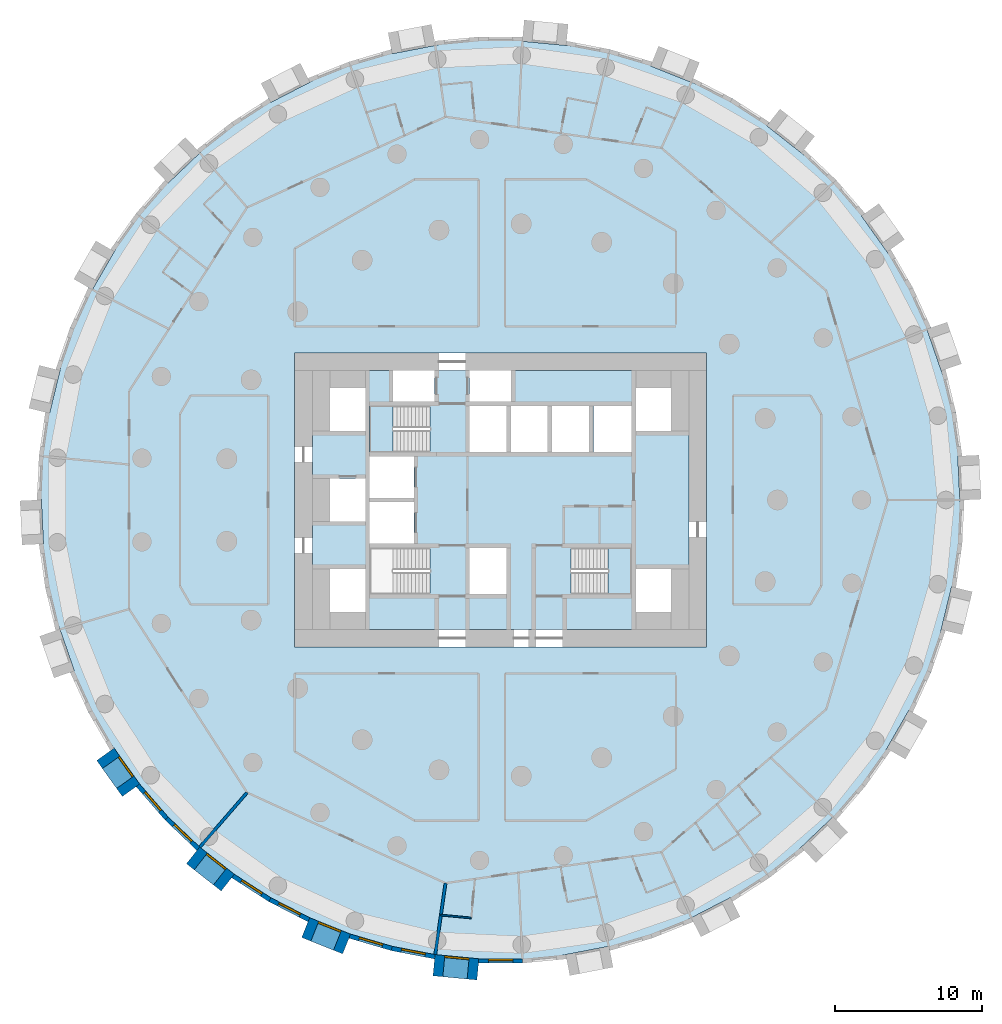
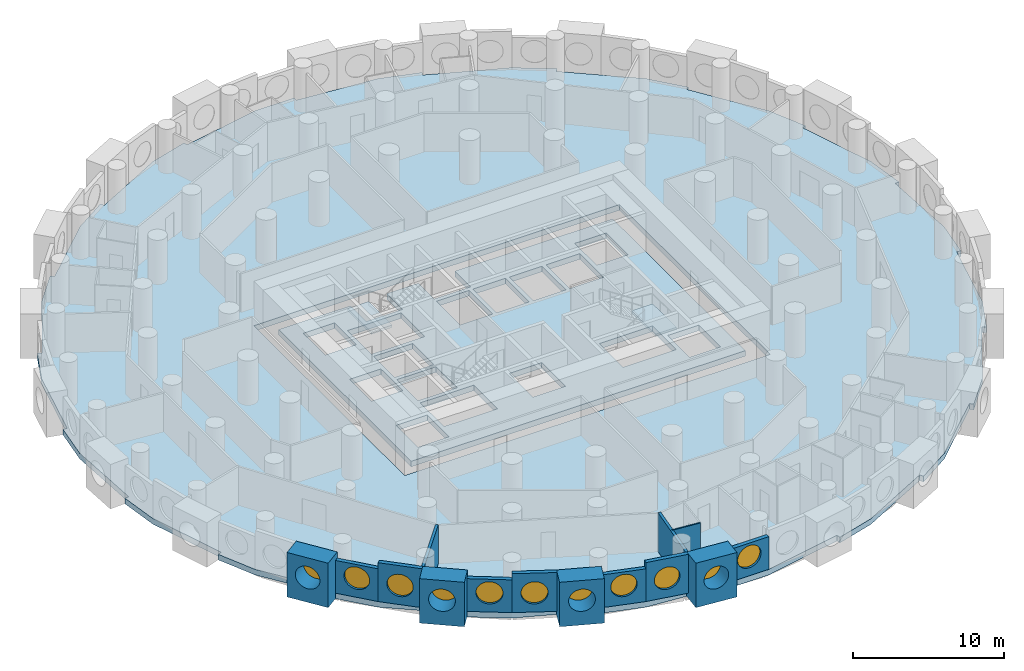
# One storey, part 2 of 11: 14 walls, 11 windows, 4 slabs, 11 openings, 2 elements without a shape of their own.
"""IFC4 building model written with IfcOpenShell, lengths in metres."""

from ifc_helpers import new_model, si_unit, direction, frame, frame_2d, origin, origin_2d, place, context, subcontext, project, spatial, polyline, rectangle, circle, outline, extrude, material, layer, layer_set, type_object, element, fill, aggregate, save


model = new_model("IFC4")

# Units and contexts
model_context = context("Model", 3, precision=1e-05, world=origin(), true_north=direction((0.0, 1.0)))
body_context = subcontext(model_context, "Body", "Model", "MODEL_VIEW")
ifc_project = project(units=[si_unit("LENGTHUNIT", "METRE"), si_unit("AREAUNIT", "SQUARE_METRE"), si_unit("VOLUMEUNIT", "CUBIC_METRE"), si_unit("PLANEANGLEUNIT", "RADIAN"), si_unit("MASSUNIT", "GRAM", prefix="KILO")], contexts=[model_context])

# Site, building, storey
site_placement = place(None, origin())
site = spatial("IfcSite", under=ifc_project, at=site_placement, CompositionType="ELEMENT")
building_placement = place(site_placement, origin())
building = spatial("IfcBuilding", under=site, at=building_placement, Name="Tracery Tower", CompositionType="ELEMENT")
storey_placement = place(building_placement, frame((0.0, 0.0, 96.60009765625)))
storey = spatial("IfcBuildingStorey", under=building, at=storey_placement, Name="L24", CompositionType="ELEMENT", Elevation=96.60009765625)

# Slabs
ifc_material_1 = material(Name="Concrete C60/75", Category="concrete")
ifc_layer_1 = layer(ifc_material_1, 0.449951171875)
ifc_layer_set_1 = layer_set([ifc_layer_1], Name="Core floor slab 450 C60")
slab_type_1 = type_object("IfcSlabType", Name="Core floor slab 450 C60", PredefinedType="FLOOR", material=ifc_layer_set_1)
slab_1_placement = place(storey_placement, frame((0.0, 0.0, -0.4501953125)))
element("IfcSlab", 1, at=slab_1_placement, inside=storey, type_object=slab_type_1, Name="L24 core floor 1", PredefinedType="FLOOR", context=body_context, shape_type="SweptSolid", body=[
    extrude(outline(polyline([(-12.800048828125, 8.800048828125), (-7.300048828125, 8.800048828125), (-7.300048828125, 6.699951171875), (-4.5, 6.699951171875), (-4.5, 8.800048828125), (-2.10009765625, 8.800048828125), (-2.10009765625, 6.699951171875), (0.699951171875, 6.699951171875), (0.699951171875, 8.800048828125), (12.800048828125, 8.800048828125), (12.800048828125, -8.800048828125), (-12.800048828125, -8.800048828125), (-12.800048828125, 8.800048828125)]), holes=[polyline([(11.60009765625, -7.60009765625), (11.60009765625, -4.699951171875), (9.199951171875, -4.699951171875), (9.199951171875, -7.60009765625), (11.60009765625, -7.60009765625)]), polyline([(11.60009765625, 4.699951171875), (11.60009765625, 7.60009765625), (9.199951171875, 7.60009765625), (9.199951171875, 4.699951171875), (11.60009765625, 4.699951171875)]), polyline([(4.800537109375, -3.25), (4.800537109375, -6.39990234375), (8.89990234375, -6.39990234375), (8.89990234375, -3.25), (4.800537109375, -3.25)]), polyline([(6.300048828125, 3.25), (8.89990234375, 3.25), (8.89990234375, 6.39990234375), (6.300048828125, 6.39990234375), (6.300048828125, 3.25)]), polyline([(3.5, 3.25), (6.0, 3.25), (6.0, 6.39990234375), (3.5, 6.39990234375), (3.5, 3.25)]), polyline([(3.199951171875, 3.25), (3.199951171875, 6.39990234375), (0.699951171875, 6.39990234375), (0.699951171875, 3.25), (3.199951171875, 3.25)]), polyline([(-2.10009765625, 3.25), (0.39990234375, 3.25), (0.39990234375, 6.39990234375), (-2.10009765625, 6.39990234375), (-2.10009765625, 3.25)]), polyline([(0.39990234375, -6.39990234375), (0.39990234375, -3.25), (-2.10009765625, -3.25), (-2.10009765625, -6.39990234375), (0.39990234375, -6.39990234375)]), polyline([(-4.800537109375, -3.25), (-8.89990234375, -3.25), (-8.89990234375, -6.39990234375), (-4.800537109375, -6.39990234375), (-4.800537109375, -3.25)]), polyline([(-4.800537109375, 6.39990234375), (-8.89990234375, 6.39990234375), (-8.89990234375, 3.25), (-4.800537109375, 3.25), (-4.800537109375, 6.39990234375)]), polyline([(-8.89990234375, -2.949951171875), (-5.89990234375, -2.949951171875), (-5.89990234375, -0.14990234375), (-8.89990234375, -0.14990234375), (-8.89990234375, -2.949951171875)]), polyline([(-5.89990234375, 0.14990234375), (-5.89990234375, 2.949951171875), (-8.89990234375, 2.949951171875), (-8.89990234375, 0.14990234375), (-5.89990234375, 0.14990234375)]), polyline([(-11.60009765625, 4.699951171875), (-9.199951171875, 4.699951171875), (-9.199951171875, 7.60009765625), (-11.60009765625, 7.60009765625), (-11.60009765625, 4.699951171875)]), polyline([(-9.199951171875, -7.60009765625), (-9.199951171875, -4.699951171875), (-11.60009765625, -4.699951171875), (-11.60009765625, -7.60009765625), (-9.199951171875, -7.60009765625)]), polyline([(-9.199951171875, -1.449951171875), (-9.199951171875, 1.449951171875), (-11.60009765625, 1.449951171875), (-11.60009765625, -1.449951171875), (-9.199951171875, -1.449951171875)])]), origin(), (0.0, 0.0, 1.0), 0.4501953125),
])
ifc_material_2 = material(Name="Concrete C50/60", Category="concrete")
ifc_layer_2 = layer(ifc_material_2, 0.449951171875)
ifc_layer_set_2 = layer_set([ifc_layer_2], Name="Floor slab 450")
slab_type_2 = type_object("IfcSlabType", Name="Floor slab 450", PredefinedType="FLOOR", material=ifc_layer_set_2)
slab_2_placement = place(storey_placement, frame((0.0, 0.0, -0.4501953125)))
element("IfcSlab", 2, at=slab_2_placement, inside=storey, type_object=slab_type_2, Name="Floor slab L24", PredefinedType="FLOOR", context=body_context, shape_type="SweptSolid", body=[
    extrude(outline(polyline([(29.964111328125, 8.783447265625), (29.964111328125, 8.783447265625), (28.98291015625, 11.618408203125), (29.266357421875, 11.716552734375), (28.020263671875, 14.4453125), (26.27587890625, 16.869384765625), (26.27587890625, 16.869384765625), (26.27001953125, 16.877685546875), (26.267578125, 16.881103515625), (24.81201171875, 18.9248046875), (24.53564453125, 19.313232421875), (24.780029296875, 19.4873046875), (22.8154296875, 21.75439453125), (20.458740234375, 23.5888671875), (20.458740234375, 23.5888671875), (20.4541015625, 23.592529296875), (20.447509765625, 23.59765625), (18.11181640625, 25.4345703125), (18.11181640625, 25.4345703125), (18.1005859375, 25.443359375), (18.2861328125, 25.67919921875), (15.76220703125, 27.301025390625), (12.984375, 28.397216796875), (12.984375, 28.397216796875), (10.19921875, 29.51220703125), (10.310791015625, 29.790771484375), (7.43212890625, 30.635986328125), (4.4580078125, 30.905029296875), (4.4580078125, 30.905029296875), (4.45166015625, 30.90576171875), (4.443603515625, 30.906494140625), (1.859375, 31.1533203125), (1.471435546875, 31.190185546875), (1.5, 31.489013671875), (1.5, 31.489013671875), (-1.5, 31.489013671875), (-4.4296875, 30.9091796875), (-4.4296875, 30.9091796875), (-4.4365234375, 30.90771484375), (-4.443603515625, 30.906494140625), (-7.114501953125, 30.3916015625), (-7.37548828125, 30.34130859375), (-7.43212890625, 30.635986328125), (-10.310791015625, 29.790771484375), (-12.95849609375, 28.4091796875), (-12.958251953125, 28.4091796875), (-13.0693359375, 28.351806640625), (-15.612060546875, 27.041015625), (-15.612060546875, 27.041015625), (-15.624755859375, 27.034423828125), (-15.76220703125, 27.301025390625), (-15.76220703125, 27.301025390625), (-18.2861328125, 25.67919921875), (-20.437255859375, 23.607666015625), (-20.437255859375, 23.607666015625), (-20.441162109375, 23.603759765625), (-20.447509765625, 23.59765625), (-21.854736328125, 22.256103515625), (-22.6083984375, 21.537353515625), (-22.8154296875, 21.75439453125), (-24.780029296875, 19.4873046875), (-26.260498046875, 16.8935546875), (-26.260498046875, 16.8935546875), (-26.265380859375, 16.884765625), (-26.267578125, 16.881103515625), (-27.753173828125, 14.307861328125), (-27.753173828125, 14.307861328125), (-27.760498046875, 14.29541015625), (-28.02001953125, 14.4453125), (-28.020263671875, 14.4453125), (-29.266357421875, 11.716552734375), (-29.956298828125, 8.810791015625), (-29.9560546875, 8.810791015625), (-30.6015625, 6.150390625), (-30.659912109375, 5.9091796875), (-30.659912109375, 5.9091796875), (-30.663330078125, 5.895263671875), (-30.954833984375, 5.966064453125), (-31.3818359375, 2.99658203125), (-31.22509765625, 0.014404296875), (-31.224853515625, 0.014404296875), (-31.082275390625, -2.982421875), (-31.3818359375, -2.99658203125), (-30.954833984375, -5.966064453125), (-29.964111328125, -8.783447265625), (-29.964111328125, -8.783447265625), (-28.98291015625, -11.618408203125), (-29.266357421875, -11.716552734375), (-28.020263671875, -14.4453125), (-26.27587890625, -16.869384765625), (-26.27587890625, -16.869384765625), (-26.27001953125, -16.877685546875), (-26.267578125, -16.881103515625), (-24.81201171875, -18.9248046875), (-24.53564453125, -19.313232421875), (-24.780029296875, -19.4873046875), (-22.8154296875, -21.75439453125), (-20.458740234375, -23.5888671875), (-20.458740234375, -23.5888671875), (-20.4541015625, -23.592529296875), (-20.447509765625, -23.59765625), (-18.11181640625, -25.4345703125), (-18.11181640625, -25.4345703125), (-18.1005859375, -25.443359375), (-18.2861328125, -25.67919921875), (-15.76220703125, -27.301025390625), (-12.984375, -28.397216796875), (-12.984375, -28.397216796875), (-10.19921875, -29.51220703125), (-10.310791015625, -29.790771484375), (-7.43212890625, -30.635986328125), (-4.4580078125, -30.905029296875), (-4.4580078125, -30.905029296875), (-4.45166015625, -30.90576171875), (-4.443603515625, -30.906494140625), (-1.859375, -31.1533203125), (-1.471435546875, -31.190185546875), (-1.5, -31.489013671875), (-1.5, -31.489013671875), (1.5, -31.489013671875), (4.4296875, -30.9091796875), (4.4296875, -30.9091796875), (4.4365234375, -30.90771484375), (4.443603515625, -30.906494140625), (7.114501953125, -30.3916015625), (7.37548828125, -30.34130859375), (7.43212890625, -30.635986328125), (10.310791015625, -29.790771484375), (12.95849609375, -28.4091796875), (12.958251953125, -28.4091796875), (13.0693359375, -28.351806640625), (15.612060546875, -27.041015625), (15.612060546875, -27.041015625), (15.624755859375, -27.034423828125), (15.76220703125, -27.301025390625), (15.76220703125, -27.301025390625), (18.2861328125, -25.67919921875), (20.437255859375, -23.607666015625), (20.437255859375, -23.607666015625), (20.441162109375, -23.603759765625), (20.447509765625, -23.59765625), (21.854736328125, -22.256103515625), (22.6083984375, -21.537353515625), (22.8154296875, -21.75439453125), (24.780029296875, -19.4873046875), (26.260498046875, -16.8935546875), (26.260498046875, -16.8935546875), (26.265380859375, -16.884765625), (26.267578125, -16.881103515625), (27.753173828125, -14.307861328125), (27.753173828125, -14.307861328125), (27.760498046875, -14.29541015625), (28.02001953125, -14.4453125), (28.020263671875, -14.4453125), (29.266357421875, -11.716552734375), (29.956298828125, -8.810791015625), (29.9560546875, -8.810791015625), (30.6015625, -6.150390625), (30.659912109375, -5.9091796875), (30.659912109375, -5.9091796875), (30.663330078125, -5.895263671875), (30.954833984375, -5.966064453125), (31.3818359375, -2.99658203125), (31.22509765625, -0.014404296875), (31.224853515625, -0.014404296875), (31.082275390625, 2.982421875), (31.3818359375, 2.99658203125), (30.954833984375, 5.966064453125), (29.964111328125, 8.783447265625)]), holes=[polyline([(-14.0, -10.0), (14.0, -10.0), (14.0, 10.0), (-14.0, 10.0), (-14.0, -10.0)])]), origin(), (0.0, 0.0, 1.0), 0.4501953125),
])

# Stair, slab
ifc_material_3 = material(Name="Concrete C32/40", Category="concrete")
stair_type = type_object("IfcStairType", Name="Core stair 22 risers", PredefinedType="HALF_TURN_STAIR", material=ifc_material_3)
stair_1_placement = place(storey_placement, origin())
stair_1 = element("IfcStair", 3, at=stair_1_placement, inside=storey, type_object=stair_type, Name="L24 stair ST3", PredefinedType="HALF_TURN_STAIR")
ifc_material_4 = material(Name="Concrete C32/40", Category="concrete")
ifc_layer_3 = layer(ifc_material_4, 0.199951171875)
ifc_layer_set_3 = layer_set([ifc_layer_3], Name="Stair landing slab 200")
slab_type_3 = type_object("IfcSlabType", Name="Stair landing slab 200", PredefinedType="LANDING", material=ifc_layer_set_3)
slab_3_placement = place(storey_placement, frame((0.0, 0.0, 1.599853515625)))
slab_3 = element("IfcSlab", 4, at=slab_3_placement, type_object=slab_type_3, Name="ST3 landing 1", PredefinedType="LANDING", context=body_context, shape_type="SweptSolid", body=[
    extrude(outline(polyline([(-7.29931640625, 6.39990234375), (-8.89990234375, 6.39990234375), (-8.89990234375, 3.25), (-7.29931640625, 3.25), (-7.29931640625, 6.39990234375)])), origin(), (0.0, 0.0, 1.0), 0.199951171875),
])
aggregate(stair_1, [slab_3])

stair_2_placement = place(storey_placement, origin())
stair_2 = element("IfcStair", 5, at=stair_2_placement, inside=storey, type_object=stair_type, Name="L24 stair ST2", PredefinedType="HALF_TURN_STAIR")
slab_4_placement = place(storey_placement, frame((0.0, 0.0, 1.599853515625)))
slab_4 = element("IfcSlab", 6, at=slab_4_placement, type_object=slab_type_3, Name="ST2 landing 1", PredefinedType="LANDING", context=body_context, shape_type="SweptSolid", body=[
    extrude(outline(polyline([(7.29931640625, -6.39990234375), (8.89990234375, -6.39990234375), (8.89990234375, -3.25), (7.29931640625, -3.25), (7.29931640625, -6.39990234375)])), origin(), (0.0, 0.0, 1.0), 0.199951171875),
])
aggregate(stair_2, [slab_4])

# Wall, opening, window
ifc_material_5 = material(Name="Precast concrete C50/60", Category="concrete")
ifc_layer_4 = layer(ifc_material_5, 1.449951171875)
ifc_layer_set_4 = layer_set([ifc_layer_4], Name="Deep-set bay unit 3000 x 3600, slab edge 450")
wall_type_1 = type_object("IfcWallType", Name="Deep-set bay unit 3000 x 3600, slab edge 450", PredefinedType="ELEMENTEDWALL", material=ifc_layer_set_4)
wall_1_placement = place(storey_placement, frame((-26.866455078125, -17.2900390625, -0.4501953125), z_axis=(0.0, 0.0, 1.0), x_axis=(0.580090570606, -0.814551981088, 0.0)))
wall_1 = element("IfcWall", 7, at=wall_1_placement, inside=storey, type_object=wall_type_1, Name="Deep-set bay unit 40 at L24", PredefinedType="ELEMENTEDWALL", context=body_context, shape_type="SweptSolid", body=[
    extrude(rectangle(XDim=3.0, YDim=1.449951171875, at=frame_2d((1.5, 0.0))), origin(), (0.0, 0.0, 1.0), 3.60009765625),
])
opening_1_placement = place(wall_1_placement, frame((1.5, 0.0, 2.0)))
opening_1 = element("IfcOpeningElement", 8, at=opening_1_placement, cuts=wall_1, Name="Opening WN1", PredefinedType="OPENING", context=body_context, shape_type="SweptSolid", body=[
    extrude(circle(Radius=0.9000244140625, at=origin_2d()), frame((0.0, 0.73486328125, 0.0), z_axis=(0.0, -1.0, 0.0), x_axis=(1.0, 0.0, 0.0)), (0.0, 0.0, 1.0), 1.469970703125),
])
ifc_material_6 = material(Name="Aluminium frame with tinted double glazing", Category="aluminium")
window_type = type_object("IfcWindowType", Name="Round window 1800", PartitioningType="SINGLE_PANEL", PredefinedType="WINDOW", material=ifc_material_6)
window_1_placement = place(opening_1_placement, origin())
window_1 = element("IfcWindow", 9, at=window_1_placement, inside=storey, type_object=window_type, Name="Round window 40 at L24", OverallHeight=1.800048828125, OverallWidth=1.800048828125, PartitioningType="SINGLE_PANEL", PredefinedType="WINDOW", context=body_context, shape_type="SweptSolid", body=[
    extrude(circle(Radius=0.9000244140625, at=origin_2d()), frame((0.0, 0.69482421875, 0.0), z_axis=(0.0, -1.0, 0.0), x_axis=(1.0, 0.0, 0.0)), (0.0, 0.0, 1.0), 0.10009765625),
])
fill(opening_1, window_1)

wall_2_placement = place(storey_placement, frame((-20.906982421875, -24.15869140625, -0.4501953125), z_axis=(0.0, 0.0, 1.0), x_axis=(0.786049992888, -0.618162930529, 0.0)))
wall_2 = element("IfcWall", 10, at=wall_2_placement, inside=storey, type_object=wall_type_1, Name="Deep-set bay unit 43 at L24", PredefinedType="ELEMENTEDWALL", context=body_context, shape_type="SweptSolid", body=[
    extrude(rectangle(XDim=3.0, YDim=1.449951171875, at=frame_2d((1.5, 0.0))), origin(), (0.0, 0.0, 1.0), 3.60009765625),
])
opening_2_placement = place(wall_2_placement, frame((1.5, 0.0, 2.0)))
opening_2 = element("IfcOpeningElement", 11, at=opening_2_placement, cuts=wall_2, Name="Opening WN1", PredefinedType="OPENING", context=body_context, shape_type="SweptSolid", body=[
    extrude(circle(Radius=0.9000244140625, at=origin_2d()), frame((0.0, 0.73486328125, 0.0), z_axis=(0.0, -1.0, 0.0), x_axis=(1.0, 0.0, 0.0)), (0.0, 0.0, 1.0), 1.469970703125),
])
window_2_placement = place(opening_2_placement, origin())
window_2 = element("IfcWindow", 12, at=window_2_placement, inside=storey, type_object=window_type, Name="Round window 43 at L24", OverallHeight=1.800048828125, OverallWidth=1.800048828125, PartitioningType="SINGLE_PANEL", PredefinedType="WINDOW", context=body_context, shape_type="SweptSolid", body=[
    extrude(circle(Radius=0.9000244140625, at=origin_2d()), frame((0.0, 0.69482421875, 0.0), z_axis=(0.0, -1.0, 0.0), x_axis=(1.0, 0.0, 0.0)), (0.0, 0.0, 1.0), 0.10009765625),
])
fill(opening_2, window_2)

wall_3_placement = place(storey_placement, frame((-13.253662109375, -29.0703125, -0.4501953125), z_axis=(0.0, 0.0, 1.0), x_axis=(0.928358776184, -0.371685327504, 0.0)))
wall_3 = element("IfcWall", 13, at=wall_3_placement, inside=storey, type_object=wall_type_1, Name="Deep-set bay unit 46 at L24", PredefinedType="ELEMENTEDWALL", context=body_context, shape_type="SweptSolid", body=[
    extrude(rectangle(XDim=2.999755859375, YDim=1.449951171875, at=frame_2d((1.5, 0.0))), origin(), (0.0, 0.0, 1.0), 3.60009765625),
])
opening_3_placement = place(wall_3_placement, frame((1.5, 0.0, 2.0)))
opening_3 = element("IfcOpeningElement", 14, at=opening_3_placement, cuts=wall_3, Name="Opening WN1", PredefinedType="OPENING", context=body_context, shape_type="SweptSolid", body=[
    extrude(circle(Radius=0.9000244140625, at=origin_2d()), frame((0.0, 0.73486328125, 0.0), z_axis=(0.0, -1.0, 0.0), x_axis=(1.0, 0.0, 0.0)), (0.0, 0.0, 1.0), 1.469970703125),
])
window_3_placement = place(opening_3_placement, origin())
window_3 = element("IfcWindow", 15, at=window_3_placement, inside=storey, type_object=window_type, Name="Round window 46 at L24", OverallHeight=1.800048828125, OverallWidth=1.800048828125, PartitioningType="SINGLE_PANEL", PredefinedType="WINDOW", context=body_context, shape_type="SweptSolid", body=[
    extrude(circle(Radius=0.9000244140625, at=origin_2d()), frame((0.0, 0.69482421875, 0.0), z_axis=(0.0, -1.0, 0.0), x_axis=(1.0, 0.0, 0.0)), (0.0, 0.0, 1.0), 0.10009765625),
])
fill(opening_3, window_3)

wall_4_placement = place(storey_placement, frame((-4.52685546875, -31.626708984375, -0.4501953125), z_axis=(0.0, 0.0, 1.0), x_axis=(0.995472768558, -0.09504718333, 0.0)))
wall_4 = element("IfcWall", 16, at=wall_4_placement, inside=storey, type_object=wall_type_1, Name="Deep-set bay unit 49 at L24", PredefinedType="ELEMENTEDWALL", context=body_context, shape_type="SweptSolid", body=[
    extrude(rectangle(XDim=3.000244140625, YDim=1.449951171875, at=frame_2d((1.5, 0.0))), origin(), (0.0, 0.0, 1.0), 3.60009765625),
])
opening_4_placement = place(wall_4_placement, frame((1.5, 0.0, 2.0)))
opening_4 = element("IfcOpeningElement", 17, at=opening_4_placement, cuts=wall_4, Name="Opening WN1", PredefinedType="OPENING", context=body_context, shape_type="SweptSolid", body=[
    extrude(circle(Radius=0.9000244140625, at=origin_2d()), frame((0.0, 0.73486328125, 0.0), z_axis=(0.0, -1.0, 0.0), x_axis=(1.0, 0.0, 0.0)), (0.0, 0.0, 1.0), 1.469970703125),
])
window_4_placement = place(opening_4_placement, origin())
window_4 = element("IfcWindow", 18, at=window_4_placement, inside=storey, type_object=window_type, Name="Round window 49 at L24", OverallHeight=1.800048828125, OverallWidth=1.800048828125, PartitioningType="SINGLE_PANEL", PredefinedType="WINDOW", context=body_context, shape_type="SweptSolid", body=[
    extrude(circle(Radius=0.9000244140625, at=origin_2d()), frame((0.0, 0.69482421875, 0.0), z_axis=(0.0, -1.0, 0.0), x_axis=(1.0, 0.0, 0.0)), (0.0, 0.0, 1.0), 0.10009765625),
])
fill(opening_4, window_4)

ifc_material_7 = material(Name="Precast concrete C50/60", Category="concrete")
ifc_layer_5 = layer(ifc_material_7, 0.300048828125)
ifc_layer_set_5 = layer_set([ifc_layer_5], Name="Facade panel 3000 x 2650")
wall_type_2 = type_object("IfcWallType", Name="Facade panel 3000 x 2650", PredefinedType="SOLIDWALL", material=ifc_layer_set_5)
wall_5_placement = place(storey_placement, frame((-24.657958984375, -19.39892578125, 0.0), z_axis=(0.0, 0.0, 1.0), x_axis=(0.654830712471, -0.755775587066, 0.0)))
wall_5 = element("IfcWall", 19, at=wall_5_placement, inside=storey, type_object=wall_type_2, Name="Facade panel 41 at L24", PredefinedType="SOLIDWALL", context=body_context, shape_type="SweptSolid", body=[
    extrude(rectangle(XDim=2.979736328125, YDim=0.300048828125, at=frame_2d((1.48974609375, 0.0))), origin(), (0.0, 0.0, 1.0), 2.64990234375),
])
opening_5_placement = place(wall_5_placement, frame((1.48974609375, 0.0, 1.5498046875)))
opening_5 = element("IfcOpeningElement", 20, at=opening_5_placement, cuts=wall_5, Name="Opening WN1", PredefinedType="OPENING", context=body_context, shape_type="SweptSolid", body=[
    extrude(circle(Radius=0.9000244140625, at=origin_2d()), frame((0.0, 0.159912109375, 0.0), z_axis=(0.0, -1.0, 0.0), x_axis=(1.0, 0.0, 0.0)), (0.0, 0.0, 1.0), 0.320068359375),
])
window_5_placement = place(opening_5_placement, origin())
window_5 = element("IfcWindow", 21, at=window_5_placement, inside=storey, type_object=window_type, Name="Round window 41 at L24", OverallHeight=1.800048828125, OverallWidth=1.800048828125, PartitioningType="SINGLE_PANEL", PredefinedType="WINDOW", context=body_context, shape_type="SweptSolid", body=[
    extrude(circle(Radius=0.9000244140625, at=origin_2d()), frame((0.0, 0.1201171875, 0.0), z_axis=(0.0, -1.0, 0.0), x_axis=(1.0, 0.0, 0.0)), (0.0, 0.0, 1.0), 0.10009765625),
])
fill(opening_5, window_5)

wall_6_placement = place(storey_placement, frame((-18.19384765625, -25.56005859375, 0.0), z_axis=(0.0, 0.0, 1.0), x_axis=(0.84122372879, -0.540687190639, 0.0)))
wall_6 = element("IfcWall", 22, at=wall_6_placement, inside=storey, type_object=wall_type_2, Name="Facade panel 44 at L24", PredefinedType="SOLIDWALL", context=body_context, shape_type="SweptSolid", body=[
    extrude(rectangle(XDim=2.979736328125, YDim=0.300048828125, at=frame_2d((1.48974609375, 0.0))), origin(), (0.0, 0.0, 1.0), 2.64990234375),
])
opening_6_placement = place(wall_6_placement, frame((1.48974609375, 0.0, 1.5498046875)))
opening_6 = element("IfcOpeningElement", 23, at=opening_6_placement, cuts=wall_6, Name="Opening WN1", PredefinedType="OPENING", context=body_context, shape_type="SweptSolid", body=[
    extrude(circle(Radius=0.9000244140625, at=origin_2d()), frame((0.0, 0.159912109375, 0.0), z_axis=(0.0, -1.0, 0.0), x_axis=(1.0, 0.0, 0.0)), (0.0, 0.0, 1.0), 0.320068359375),
])
window_6_placement = place(opening_6_placement, origin())
window_6 = element("IfcWindow", 24, at=window_6_placement, inside=storey, type_object=window_type, Name="Round window 44 at L24", OverallHeight=1.800048828125, OverallWidth=1.800048828125, PartitioningType="SINGLE_PANEL", PredefinedType="WINDOW", context=body_context, shape_type="SweptSolid", body=[
    extrude(circle(Radius=0.9000244140625, at=origin_2d()), frame((0.0, 0.1201171875, 0.0), z_axis=(0.0, -1.0, 0.0), x_axis=(1.0, 0.0, 0.0)), (0.0, 0.0, 1.0), 0.10009765625),
])
fill(opening_6, window_6)

wall_7_placement = place(storey_placement, frame((-10.255859375, -29.650634765625, 0.0), z_axis=(0.0, 0.0, 1.0), x_axis=(0.959507586834, -0.28168278401, 0.0)))
wall_7 = element("IfcWall", 25, at=wall_7_placement, inside=storey, type_object=wall_type_2, Name="Facade panel 47 at L24", PredefinedType="SOLIDWALL", context=body_context, shape_type="SweptSolid", body=[
    extrude(rectangle(XDim=2.979736328125, YDim=0.300048828125, at=frame_2d((1.48974609375, 0.0))), origin(), (0.0, 0.0, 1.0), 2.64990234375),
])
opening_7_placement = place(wall_7_placement, frame((1.48974609375, 0.0, 1.5498046875)))
opening_7 = element("IfcOpeningElement", 26, at=opening_7_placement, cuts=wall_7, Name="Opening WN1", PredefinedType="OPENING", context=body_context, shape_type="SweptSolid", body=[
    extrude(circle(Radius=0.9000244140625, at=origin_2d()), frame((0.0, 0.159912109375, 0.0), z_axis=(0.0, -1.0, 0.0), x_axis=(1.0, 0.0, 0.0)), (0.0, 0.0, 1.0), 0.320068359375),
])
window_7_placement = place(opening_7_placement, origin())
window_7 = element("IfcWindow", 27, at=window_7_placement, inside=storey, type_object=window_type, Name="Round window 47 at L24", OverallHeight=1.800048828125, OverallWidth=1.800048828125, PartitioningType="SINGLE_PANEL", PredefinedType="WINDOW", context=body_context, shape_type="SweptSolid", body=[
    extrude(circle(Radius=0.9000244140625, at=origin_2d()), frame((0.0, 0.1201171875, 0.0), z_axis=(0.0, -1.0, 0.0), x_axis=(1.0, 0.0, 0.0)), (0.0, 0.0, 1.0), 0.10009765625),
])
fill(opening_7, window_7)

wall_8_placement = place(storey_placement, frame((-1.48681640625, -31.3388671875, 0.0), z_axis=(0.0, 0.0, 1.0), x_axis=(1.0, 0.0, 0.0)))
wall_8 = element("IfcWall", 28, at=wall_8_placement, inside=storey, type_object=wall_type_2, Name="Facade panel 50 at L24", PredefinedType="SOLIDWALL", context=body_context, shape_type="SweptSolid", body=[
    extrude(rectangle(XDim=2.979736328125, YDim=0.300048828125, at=frame_2d((1.48974609375, 0.0))), origin(), (0.0, 0.0, 1.0), 2.64990234375),
])
opening_8_placement = place(wall_8_placement, frame((1.48974609375, 0.0, 1.5498046875)))
opening_8 = element("IfcOpeningElement", 29, at=opening_8_placement, cuts=wall_8, Name="Opening WN1", PredefinedType="OPENING", context=body_context, shape_type="SweptSolid", body=[
    extrude(circle(Radius=0.9000244140625, at=origin_2d()), frame((0.0, 0.159912109375, 0.0), z_axis=(0.0, -1.0, 0.0), x_axis=(1.0, 0.0, 0.0)), (0.0, 0.0, 1.0), 0.320068359375),
])
window_8_placement = place(opening_8_placement, origin())
window_8 = element("IfcWindow", 30, at=window_8_placement, inside=storey, type_object=window_type, Name="Round window 50 at L24", OverallHeight=1.800048828125, OverallWidth=1.800048828125, PartitioningType="SINGLE_PANEL", PredefinedType="WINDOW", context=body_context, shape_type="SweptSolid", body=[
    extrude(circle(Radius=0.9000244140625, at=origin_2d()), frame((0.0, 0.1201171875, 0.0), z_axis=(0.0, -1.0, 0.0), x_axis=(1.0, 0.0, 0.0)), (0.0, 0.0, 1.0), 0.10009765625),
])
fill(opening_8, window_8)

ifc_material_8 = material(Name="Precast concrete C50/60", Category="concrete")
ifc_layer_6 = layer(ifc_material_8, 0.300048828125)
ifc_layer_set_6 = layer_set([ifc_layer_6], Name="Facade panel 3000 x 3150")
wall_type_3 = type_object("IfcWallType", Name="Facade panel 3000 x 3150", PredefinedType="SOLIDWALL", material=ifc_layer_set_6)
wall_9_placement = place(storey_placement, frame((-22.706787109375, -21.65087890625, 0.0), z_axis=(0.0, 0.0, 1.0), x_axis=(0.723744206617, -0.690068346896, 0.0)))
wall_9 = element("IfcWall", 31, at=wall_9_placement, inside=storey, type_object=wall_type_3, Name="Facade panel 42 at L24", PredefinedType="SOLIDWALL", context=body_context, shape_type="SweptSolid", body=[
    extrude(rectangle(XDim=2.979736328125, YDim=0.300048828125, at=frame_2d((1.48974609375, 0.0))), origin(), (0.0, 0.0, 1.0), 3.14990234375),
])
opening_9_placement = place(wall_9_placement, frame((1.48974609375, 0.0, 1.5498046875)))
opening_9 = element("IfcOpeningElement", 32, at=opening_9_placement, cuts=wall_9, Name="Opening WN1", PredefinedType="OPENING", context=body_context, shape_type="SweptSolid", body=[
    extrude(circle(Radius=0.9000244140625, at=origin_2d()), frame((0.0, 0.159912109375, 0.0), z_axis=(0.0, -1.0, 0.0), x_axis=(1.0, 0.0, 0.0)), (0.0, 0.0, 1.0), 0.320068359375),
])
window_9_placement = place(opening_9_placement, origin())
window_9 = element("IfcWindow", 33, at=window_9_placement, inside=storey, type_object=window_type, Name="Round window 42 at L24", OverallHeight=1.800048828125, OverallWidth=1.800048828125, PartitioningType="SINGLE_PANEL", PredefinedType="WINDOW", context=body_context, shape_type="SweptSolid", body=[
    extrude(circle(Radius=0.9000244140625, at=origin_2d()), frame((0.0, 0.1201171875, 0.0), z_axis=(0.0, -1.0, 0.0), x_axis=(1.0, 0.0, 0.0)), (0.0, 0.0, 1.0), 0.10009765625),
])
fill(opening_9, window_9)

wall_10_placement = place(storey_placement, frame((-15.687255859375, -27.171142578125, 0.0), z_axis=(0.0, 0.0, 1.0), x_axis=(0.888853225096, -0.4581920386, 0.0)))
wall_10 = element("IfcWall", 34, at=wall_10_placement, inside=storey, type_object=wall_type_3, Name="Facade panel 45 at L24", PredefinedType="SOLIDWALL", context=body_context, shape_type="SweptSolid", body=[
    extrude(rectangle(XDim=2.9794921875, YDim=0.300048828125, at=frame_2d((1.48974609375, 0.0))), origin(), (0.0, 0.0, 1.0), 3.14990234375),
])
opening_10_placement = place(wall_10_placement, frame((1.48974609375, 0.0, 1.5498046875)))
opening_10 = element("IfcOpeningElement", 35, at=opening_10_placement, cuts=wall_10, Name="Opening WN1", PredefinedType="OPENING", context=body_context, shape_type="SweptSolid", body=[
    extrude(circle(Radius=0.9000244140625, at=origin_2d()), frame((0.0, 0.159912109375, 0.0), z_axis=(0.0, -1.0, 0.0), x_axis=(1.0, 0.0, 0.0)), (0.0, 0.0, 1.0), 0.320068359375),
])
window_10_placement = place(opening_10_placement, origin())
window_10 = element("IfcWindow", 36, at=window_10_placement, inside=storey, type_object=window_type, Name="Round window 45 at L24", OverallHeight=1.800048828125, OverallWidth=1.800048828125, PartitioningType="SINGLE_PANEL", PredefinedType="WINDOW", context=body_context, shape_type="SweptSolid", body=[
    extrude(circle(Radius=0.9000244140625, at=origin_2d()), frame((0.0, 0.1201171875, 0.0), z_axis=(0.0, -1.0, 0.0), x_axis=(1.0, 0.0, 0.0)), (0.0, 0.0, 1.0), 0.10009765625),
])
fill(opening_10, window_10)

wall_11_placement = place(storey_placement, frame((-7.396728515625, -30.489990234375, 0.0), z_axis=(0.0, 0.0, 1.0), x_axis=(0.981924535406, -0.189272836848, 0.0)))
wall_11 = element("IfcWall", 37, at=wall_11_placement, inside=storey, type_object=wall_type_3, Name="Facade panel 48 at L24", PredefinedType="SOLIDWALL", context=body_context, shape_type="SweptSolid", body=[
    extrude(rectangle(XDim=2.979736328125, YDim=0.300048828125, at=frame_2d((1.48974609375, 0.0))), origin(), (0.0, 0.0, 1.0), 3.14990234375),
])
opening_11_placement = place(wall_11_placement, frame((1.48974609375, 0.0, 1.5498046875)))
opening_11 = element("IfcOpeningElement", 38, at=opening_11_placement, cuts=wall_11, Name="Opening WN1", PredefinedType="OPENING", context=body_context, shape_type="SweptSolid", body=[
    extrude(circle(Radius=0.9000244140625, at=origin_2d()), frame((0.0, 0.159912109375, 0.0), z_axis=(0.0, -1.0, 0.0), x_axis=(1.0, 0.0, 0.0)), (0.0, 0.0, 1.0), 0.320068359375),
])
window_11_placement = place(opening_11_placement, origin())
window_11 = element("IfcWindow", 39, at=window_11_placement, inside=storey, type_object=window_type, Name="Round window 48 at L24", OverallHeight=1.800048828125, OverallWidth=1.800048828125, PartitioningType="SINGLE_PANEL", PredefinedType="WINDOW", context=body_context, shape_type="SweptSolid", body=[
    extrude(circle(Radius=0.9000244140625, at=origin_2d()), frame((0.0, 0.1201171875, 0.0), z_axis=(0.0, -1.0, 0.0), x_axis=(1.0, 0.0, 0.0)), (0.0, 0.0, 1.0), 0.10009765625),
])
fill(opening_11, window_11)

# Walls
ifc_material_9 = material(Name="Plasterboard on steel studs", Category="steel")
ifc_layer_7 = layer(ifc_material_9, 0.10009765625)
ifc_layer_set_7 = layer_set([ifc_layer_7], Name="Partition 100 wet wall")
wall_type_4 = type_object("IfcWallType", Name="Partition 100 wet wall", PredefinedType="PARTITIONING", material=ifc_layer_set_7)
wall_12_placement = place(storey_placement, frame((-4.05810546875, -28.220947265625, 0.0), z_axis=(0.0, 0.0, 1.0), x_axis=(0.995466291052, -0.095115000814, 0.0)))
element("IfcWall", 40, at=wall_12_placement, inside=storey, type_object=wall_type_4, Name="Wet wall RA7-073", PredefinedType="PARTITIONING", context=body_context, shape_type="SweptSolid", body=[
    extrude(rectangle(XDim=2.0712890625, YDim=0.10009765625, at=frame_2d((1.03564453125, 0.0))), origin(), (0.0, 0.0, 1.0), 3.14990234375),
])
ifc_material_10 = material(Name="Plasterboard on steel studs", Category="steel")
ifc_layer_8 = layer(ifc_material_10, 0.199951171875)
ifc_layer_set_8 = layer_set([ifc_layer_8], Name="Partition 200 compartment wall")
wall_type_5 = type_object("IfcWallType", Name="Partition 200 compartment wall", PredefinedType="PARTITIONING", material=ifc_layer_set_8)
wall_13_placement = place(storey_placement, frame((-20.447998046875, -23.597900390625, 0.0), z_axis=(0.0, 0.0, 1.0), x_axis=(0.654847179409, 0.755761319214, 0.0)))
element("IfcWall", 41, at=wall_13_placement, inside=storey, type_object=wall_type_5, Name="Compartment wall RA7-071", PredefinedType="PARTITIONING", context=body_context, shape_type="SweptSolid", body=[
    extrude(rectangle(XDim=4.90625, YDim=0.199951171875, at=frame_2d((2.453125, 0.0))), origin(), (0.0, 0.0, 1.0), 3.14990234375),
])
wall_14_placement = place(storey_placement, frame((-4.444091796875, -30.906005859375, 0.0), z_axis=(0.0, 0.0, 1.0), x_axis=(0.142452592463, 0.989801626035, 0.0)))
element("IfcWall", 42, at=wall_14_placement, inside=storey, type_object=wall_type_5, Name="Compartment wall RA7-072", PredefinedType="PARTITIONING", context=body_context, shape_type="SweptSolid", body=[
    extrude(rectangle(XDim=4.905029296875, YDim=0.199951171875, at=frame_2d((2.45263671875, 0.0))), origin(), (0.0, 0.0, 1.0), 3.14990234375),
])

save(model, "model.ifc")
